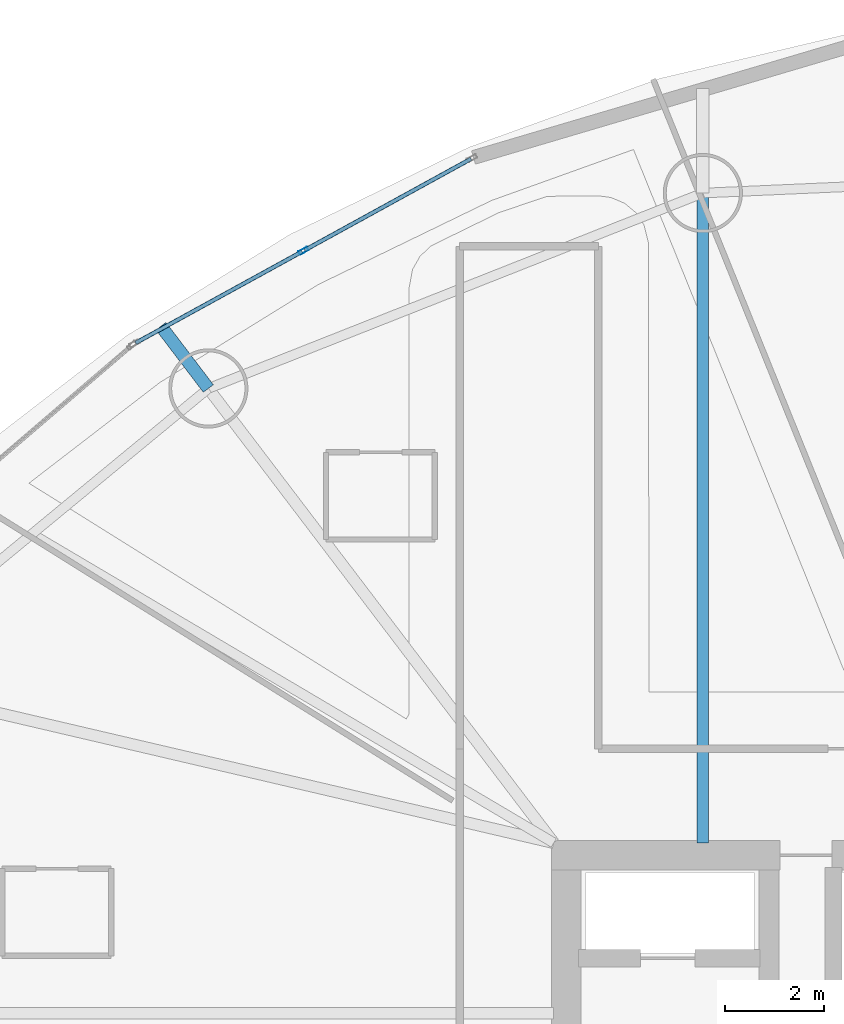
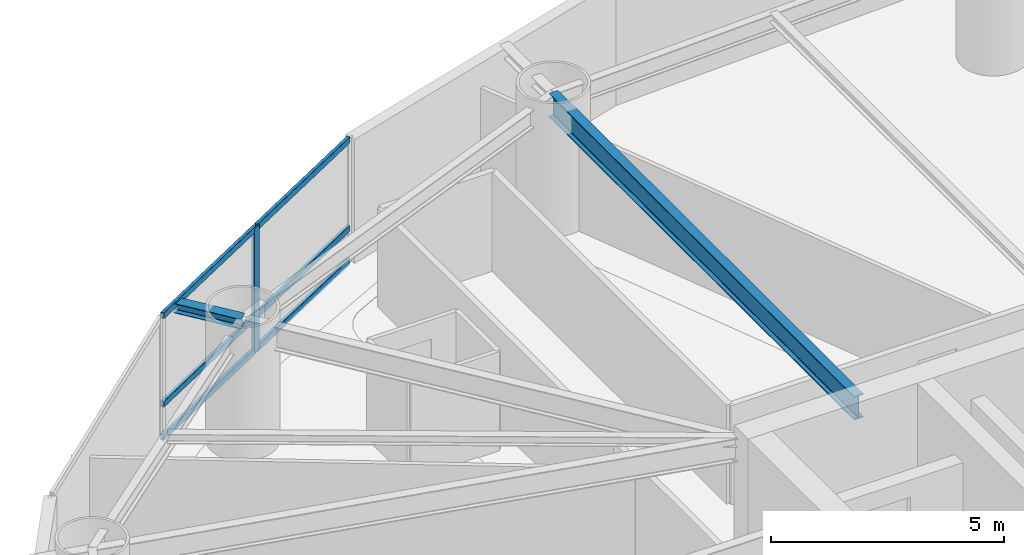
# One storey, part 15 of 25: 7 members, 2 beams, 1 element without a shape of its own.
"""IFC4 building model written with IfcOpenShell, lengths in metres."""

from ifc_helpers import new_model, si_unit, direction, frame, origin, origin_2d, place, context, subcontext, project, spatial, hollow_rectangle, i_section, extrude, material, layer, layer_set, material_profile, profile_set, type_object, element, aggregate, save


model = new_model("IFC4")

# Units and contexts
model_context = context("Model", 3, precision=1e-05, world=origin(), true_north=direction((0.0, 1.0)))
body_context = subcontext(model_context, "Body", "Model", "MODEL_VIEW")
ifc_project = project(units=[si_unit("LENGTHUNIT", "METRE"), si_unit("AREAUNIT", "SQUARE_METRE"), si_unit("VOLUMEUNIT", "CUBIC_METRE"), si_unit("PLANEANGLEUNIT", "RADIAN"), si_unit("MASSUNIT", "GRAM", prefix="KILO")], contexts=[model_context])

# Site, building, storey
site_placement = place(None, origin())
site = spatial("IfcSite", under=ifc_project, at=site_placement, CompositionType="ELEMENT")
building_placement = place(site_placement, origin())
building = spatial("IfcBuilding", under=site, at=building_placement, Name="Bramvorn Convention Spire", CompositionType="ELEMENT")
storey_placement = place(building_placement, frame((0.0, 0.0, 55.39990234375)))
storey = spatial("IfcBuildingStorey", under=building, at=storey_placement, Name="L11", CompositionType="ELEMENT", Elevation=55.39990234375)

# Beams
ifc_material_1 = material(Name="Steel CSA G40.21 Grade 350 (350W)", Category="steel")
ifc_material_profile_1 = material_profile(ifc_material_1, i_section(OverallWidth=0.25390625, OverallDepth=0.2529296875, WebThickness=0.008544921875, FlangeThickness=0.01416015625, FilletRadius=0.011962890625, at=origin_2d()))
ifc_profile_set_1 = profile_set([ifc_material_profile_1], Name="Steel CSA G40.21 Grade 350 (350W) - W250X73")
beam_type_1 = type_object("IfcBeamType", Name="BM-W250X73", PredefinedType="BEAM", material=ifc_profile_set_1)
beam_1_placement = place(storey_placement, frame((19.772216796875, 42.628662109375, 3.12353515625), z_axis=(-0.605200725959, 0.796072912049, 0.0), x_axis=(-0.796072912049, -0.605200725959, 0.0)))
element("IfcBeam", 1, at=beam_1_placement, inside=storey, type_object=beam_type_1, Name="L11 slab-edge cantilever tip beam MC07", PredefinedType="BEAM", context=body_context, shape_type="SweptSolid", body=[
    extrude(i_section(OverallWidth=0.25390625, OverallDepth=0.2529296875, WebThickness=0.008544921875, FlangeThickness=0.01416015625, FilletRadius=0.011962890625, at=origin_2d()), origin(), (0.0, 0.0, 1.0), 1.5810546875),
])
ifc_material_profile_2 = material_profile(ifc_material_1, i_section(OverallWidth=0.22998046875, OverallDepth=0.616943359375, WebThickness=0.01318359375, FlangeThickness=0.022216796875, FilletRadius=0.02001953125, at=origin_2d()))
ifc_profile_set_2 = profile_set([ifc_material_profile_2], Name="Steel CSA G40.21 Grade 350 (350W) - W610X140")
beam_type_2 = type_object("IfcBeamType", Name="BM-W610X140", PredefinedType="BEAM", material=ifc_profile_set_2)
beam_2_placement = place(storey_placement, frame((29.76220703125, 33.449951171875, 2.941650390625), z_axis=(0.0, 1.0, 0.0), x_axis=(-1.0, 0.0, 0.0)))
element("IfcBeam", 2, at=beam_2_placement, inside=storey, type_object=beam_type_2, Name="L11 radial floor girder MC06", PredefinedType="BEAM", context=body_context, shape_type="SweptSolid", body=[
    extrude(i_section(OverallWidth=0.22998046875, OverallDepth=0.616943359375, WebThickness=0.01318359375, FlangeThickness=0.022216796875, FilletRadius=0.02001953125, at=origin_2d()), origin(), (0.0, 0.0, 1.0), 13.126708984375),
])

# Curtain wall, members
ifc_material_2 = material(Name="Anodised Bronze Unitised Curtain Wall", Category="aluminium")
ifc_layer = layer(ifc_material_2, 0.179931640625)
ifc_layer_set = layer_set([ifc_layer], Name="Anodised Bronze Unitised Curtain Wall - CW-HTL-FRIT")
curtain_wall_type = type_object("IfcCurtainWallType", Name="CW-HTL-FRIT", PredefinedType="USERDEFINED", material=ifc_layer_set)
curtain_wall_placement = place(storey_placement, origin())
curtain_wall = element("IfcCurtainWall", 3, at=curtain_wall_placement, inside=storey, type_object=curtain_wall_type, Name="L11 fritted glass curtain wall 09", ObjectType="UNITISED CURTAIN WALL", PredefinedType="USERDEFINED")
ifc_material_3 = material(Name="Anodised Bronze Aluminium 6063-T6", Category="aluminium")
ifc_material_profile_3 = material_profile(ifc_material_3, hollow_rectangle(XDim=0.080078125, YDim=0.199951171875, WallThickness=0.00390625, InnerFilletRadius=0.0009765625, OuterFilletRadius=0.00390625, at=origin_2d()))
ifc_profile_set_3 = profile_set([ifc_material_profile_3], Name="Anodised Bronze Aluminium 6063-T6 - CWM80X200")
member_type_1 = type_object("IfcMemberType", Name="CW-MUL-180", PredefinedType="MULLION", material=ifc_profile_set_3)
member_1_placement = place(storey_placement, frame((21.69091796875, 45.408203125, 0.0), z_axis=(0.0, 0.0, 1.0), x_axis=(-0.481254586999, 0.87658087048, 0.0)))
member_1 = element("IfcMember", 4, at=member_1_placement, type_object=member_type_1, Name="CW2 mullion 2", PredefinedType="MULLION", context=body_context, shape_type="SweptSolid", body=[
    extrude(hollow_rectangle(XDim=0.080078125, YDim=0.199951171875, WallThickness=0.00390625, InnerFilletRadius=0.0009765625, OuterFilletRadius=0.00390625, at=origin_2d()), origin(), (0.0, 0.0, 1.0), 3.25),
])
ifc_material_profile_4 = material_profile(ifc_material_3, hollow_rectangle(XDim=0.080078125, YDim=0.159912109375, WallThickness=0.00390625, InnerFilletRadius=0.0009765625, OuterFilletRadius=0.00390625, at=origin_2d()))
ifc_profile_set_4 = profile_set([ifc_material_profile_4], Name="Anodised Bronze Aluminium 6063-T6 - CWT80X160")
member_type_2 = type_object("IfcMemberType", Name="CW-TRN-150", PredefinedType="USERDEFINED", material=ifc_profile_set_4)
member_2_placement = place(storey_placement, frame((18.30517578125, 43.54931640625, 0.030029296875), z_axis=(0.876565376828, 0.481282806827, 0.0), x_axis=(-0.481282806827, 0.876565376828, 0.0)))
member_2 = element("IfcMember", 5, at=member_2_placement, type_object=member_type_2, Name="CW2 transom 1.1", ObjectType="TRANSOM", PredefinedType="USERDEFINED", context=body_context, shape_type="SweptSolid", body=[
    extrude(hollow_rectangle(XDim=0.080078125, YDim=0.159912109375, WallThickness=0.00390625, InnerFilletRadius=0.0009765625, OuterFilletRadius=0.00390625, at=origin_2d()), origin(), (0.0, 0.0, 1.0), 3.83251953125),
])
member_3_placement = place(storey_placement, frame((18.30517578125, 43.54931640625, 0.900146484375), z_axis=(0.876565376828, 0.481282806827, 0.0), x_axis=(-0.481282806827, 0.876565376828, 0.0)))
member_3 = element("IfcMember", 6, at=member_3_placement, type_object=member_type_2, Name="CW2 transom 1.2", ObjectType="TRANSOM", PredefinedType="USERDEFINED", context=body_context, shape_type="SweptSolid", body=[
    extrude(hollow_rectangle(XDim=0.080078125, YDim=0.159912109375, WallThickness=0.00390625, InnerFilletRadius=0.0009765625, OuterFilletRadius=0.00390625, at=origin_2d()), origin(), (0.0, 0.0, 1.0), 3.83251953125),
])
member_4_placement = place(storey_placement, frame((18.30517578125, 43.54931640625, 3.22021484375), z_axis=(0.876565376828, 0.481282806827, 0.0), x_axis=(-0.481282806827, 0.876565376828, 0.0)))
member_4 = element("IfcMember", 7, at=member_4_placement, type_object=member_type_2, Name="CW2 transom 1.3", ObjectType="TRANSOM", PredefinedType="USERDEFINED", context=body_context, shape_type="SweptSolid", body=[
    extrude(hollow_rectangle(XDim=0.080078125, YDim=0.159912109375, WallThickness=0.00390625, InnerFilletRadius=0.0009765625, OuterFilletRadius=0.00390625, at=origin_2d()), origin(), (0.0, 0.0, 1.0), 3.83251953125),
])
member_5_placement = place(storey_placement, frame((21.71728515625, 45.422607421875, 0.030029296875), z_axis=(0.876565376828, 0.481282806827, 0.0), x_axis=(-0.481282806827, 0.876565376828, 0.0)))
member_5 = element("IfcMember", 8, at=member_5_placement, type_object=member_type_2, Name="CW2 transom 2.1", ObjectType="TRANSOM", PredefinedType="USERDEFINED", context=body_context, shape_type="SweptSolid", body=[
    extrude(hollow_rectangle(XDim=0.080078125, YDim=0.159912109375, WallThickness=0.00390625, InnerFilletRadius=0.0009765625, OuterFilletRadius=0.00390625, at=origin_2d()), origin(), (0.0, 0.0, 1.0), 3.83251953125),
])
member_6_placement = place(storey_placement, frame((21.71728515625, 45.422607421875, 0.900146484375), z_axis=(0.876565376828, 0.481282806827, 0.0), x_axis=(-0.481282806827, 0.876565376828, 0.0)))
member_6 = element("IfcMember", 9, at=member_6_placement, type_object=member_type_2, Name="CW2 transom 2.2", ObjectType="TRANSOM", PredefinedType="USERDEFINED", context=body_context, shape_type="SweptSolid", body=[
    extrude(hollow_rectangle(XDim=0.080078125, YDim=0.159912109375, WallThickness=0.00390625, InnerFilletRadius=0.0009765625, OuterFilletRadius=0.00390625, at=origin_2d()), origin(), (0.0, 0.0, 1.0), 3.83251953125),
])
member_7_placement = place(storey_placement, frame((21.71728515625, 45.422607421875, 3.22021484375), z_axis=(0.876565376828, 0.481282806827, 0.0), x_axis=(-0.481282806827, 0.876565376828, 0.0)))
member_7 = element("IfcMember", 10, at=member_7_placement, type_object=member_type_2, Name="CW2 transom 2.3", ObjectType="TRANSOM", PredefinedType="USERDEFINED", context=body_context, shape_type="SweptSolid", body=[
    extrude(hollow_rectangle(XDim=0.080078125, YDim=0.159912109375, WallThickness=0.00390625, InnerFilletRadius=0.0009765625, OuterFilletRadius=0.00390625, at=origin_2d()), origin(), (0.0, 0.0, 1.0), 3.83251953125),
])
aggregate(curtain_wall, [member_1, member_2, member_3, member_4, member_5, member_6, member_7])

save(model, "model.ifc")
